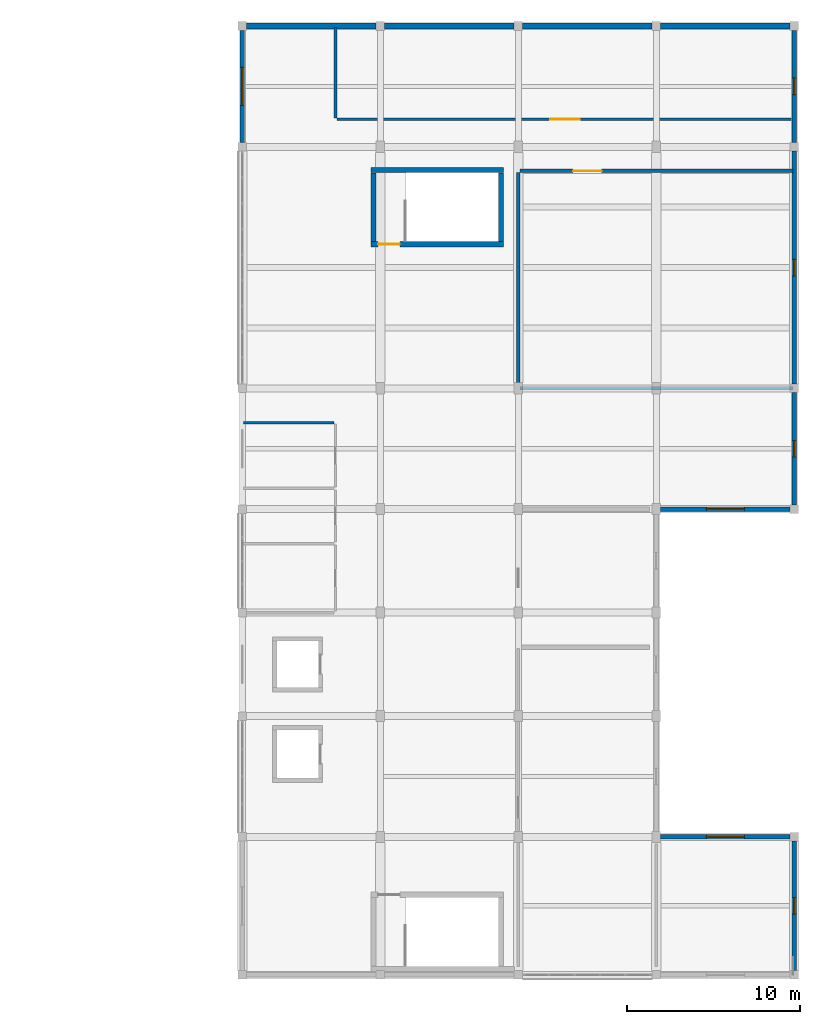
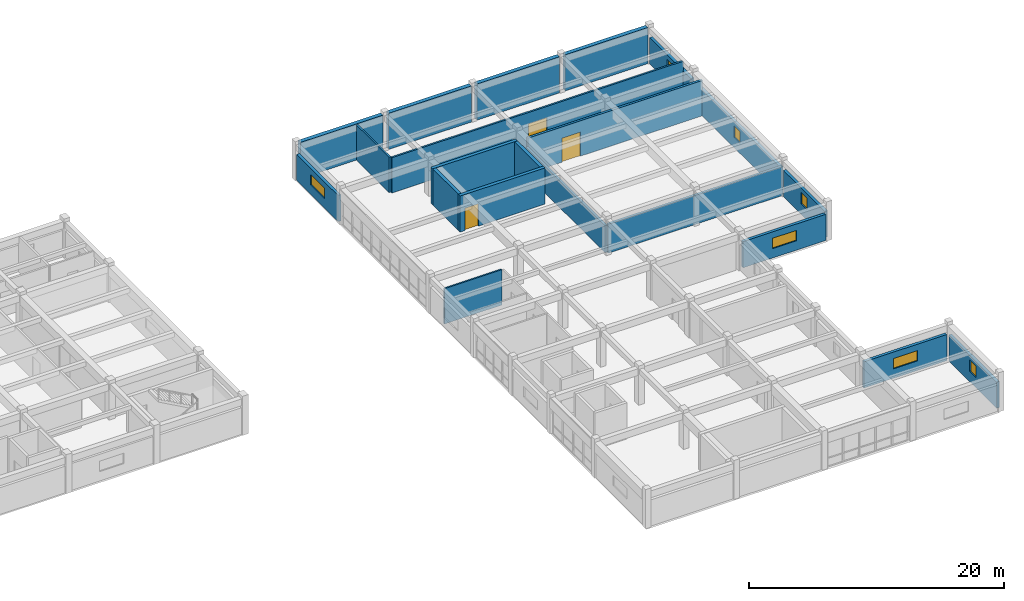
# One storey, part 13 of 17: 21 walls, 7 windows, 3 doors, 10 openings.
"""IFC4 building model written with IfcOpenShell, lengths in metres."""

from ifc_helpers import new_model, si_unit, direction, frame, frame_2d, origin, place, context, subcontext, project, spatial, rectangle, extrude, material, layer, layer_set, type_object, element, fill, save


model = new_model("IFC4")

# Units and contexts
model_context = context("Model", 3, precision=1e-05, world=origin(), true_north=direction((0.0, 1.0)))
body_context = subcontext(model_context, "Body", "Model", "MODEL_VIEW")
ifc_project = project(units=[si_unit("LENGTHUNIT", "METRE"), si_unit("AREAUNIT", "SQUARE_METRE"), si_unit("VOLUMEUNIT", "CUBIC_METRE"), si_unit("PLANEANGLEUNIT", "RADIAN"), si_unit("MASSUNIT", "GRAM", prefix="KILO")], contexts=[model_context])

# Site, building, storey
site_placement = place(None, origin())
site = spatial("IfcSite", under=ifc_project, at=site_placement, CompositionType="ELEMENT")
building_placement = place(site_placement, origin())
building = spatial("IfcBuilding", under=site, at=building_placement, Name="Naurynzar Civic Courthouse", CompositionType="ELEMENT")
storey_placement = place(building_placement, frame((0.0, 0.0, 29.550048828125)))
storey = spatial("IfcBuildingStorey", under=building, at=storey_placement, Name="L08", CompositionType="ELEMENT", Elevation=29.550048828125)

# Wall
ifc_material_1 = material(Name="Acoustic Double-Stud Gypsum Partition")
ifc_layer_1 = layer(ifc_material_1, 0.205078125)
ifc_layer_set_1 = layer_set([ifc_layer_1], Name="WL-ACOUSTIC-205")
wall_type_1 = type_object("IfcWallType", Name="WL-ACOUSTIC-205", PredefinedType="PARTITIONING", material=ifc_layer_set_1)
wall_1_placement = place(storey_placement, frame((146.080078125, 51.0, 0.0), z_axis=(0.0, 0.0, 1.0), x_axis=(1.0, 0.0, 0.0)))
element("IfcWall", 1, at=wall_1_placement, inside=storey, type_object=wall_type_1, Name="V5 interior partition L08.777", PredefinedType="PARTITIONING", context=body_context, shape_type="SweptSolid", body=[
    extrude(rectangle(XDim=15.83984375, YDim=0.205078125, at=frame_2d((7.919921875, 0.0))), origin(), (0.0, 0.0, 1.0), 2.780029296875),
])

# Wall, opening, door
wall_2_placement = place(storey_placement, frame((146.080078125, 63.60009765625, 0.0), z_axis=(0.0, 0.0, 1.0), x_axis=(1.0, 0.0, 0.0)))
wall_2 = element("IfcWall", 2, at=wall_2_placement, inside=storey, type_object=wall_type_1, Name="V5 interior partition L08.778", PredefinedType="PARTITIONING", context=body_context, shape_type="SweptSolid", body=[
    extrude(rectangle(XDim=15.83984375, YDim=0.205078125, at=frame_2d((7.919921875, 0.0))), origin(), (0.0, 0.0, 1.0), 3.389892578125),
])
opening_1_placement = place(wall_2_placement, frame((3.094970703125, 0.0, 0.0)))
opening_1 = element("IfcOpeningElement", 3, at=opening_1_placement, cuts=wall_2, Name="Opening D-366", PredefinedType="OPENING", context=body_context, shape_type="SweptSolid", body=[
    extrude(rectangle(XDim=1.64990234375, YDim=2.300048828125, at=frame_2d((0.824951171875, 1.14990234375))), frame((0.0, 0.112548828125, 0.0), z_axis=(0.0, -1.0, 0.0), x_axis=(1.0, 0.0, 0.0)), (0.0, 0.0, 1.0), 0.22509765625),
])
ifc_material_2 = material(Name="Acoustic Oak Timber Grade A", Category="wood")
door_type_1 = type_object("IfcDoorType", Name="DR-SUITE-1650x2300", OperationType="DOUBLE_DOOR_SINGLE_SWING", PredefinedType="DOOR", material=ifc_material_2)
door_1_placement = place(opening_1_placement, origin())
door_1 = element("IfcDoor", 4, at=door_1_placement, inside=storey, type_object=door_type_1, Name="Interior door D-366 (Criminal Case Review Hearing Room)", OperationType="DOUBLE_DOOR_SINGLE_SWING", OverallHeight=2.300048828125, OverallWidth=1.64990234375, PredefinedType="DOOR", context=body_context, shape_type="SweptSolid", body=[
    extrude(rectangle(XDim=1.64990234375, YDim=2.300048828125, at=frame_2d((0.824951171875, 1.14990234375))), frame((0.0, 0.02490234375, 0.0), z_axis=(0.0, -1.0, 0.0), x_axis=(1.0, 0.0, 0.0)), (0.0, 0.0, 1.0), 0.050048828125),
])
fill(opening_1, door_1)

# Walls
wall_3_placement = place(storey_placement, frame((146.0, 51.080078125, 0.0), z_axis=(0.0, 0.0, 1.0), x_axis=(0.0, 1.0, 0.0)))
element("IfcWall", 5, at=wall_3_placement, inside=storey, type_object=wall_type_1, Name="V5 interior partition L08.806", PredefinedType="PARTITIONING", context=body_context, shape_type="SweptSolid", body=[
    extrude(rectangle(XDim=12.43994140625, YDim=0.205078125, at=frame_2d((6.219970703125, 0.0))), origin(), (0.0, 0.0, 1.0), 2.579833984375),
])
ifc_material_3 = material(Name="Concrete C40/50", Category="concrete")
ifc_layer_2 = layer(ifc_material_3, 0.300048828125)
ifc_layer_set_2 = layer_set([ifc_layer_2], Name="WL-CORE-300")
wall_type_2 = type_object("IfcWallType", Name="WL-CORE-300", PredefinedType="SHEAR", material=ifc_layer_set_2)
wall_4_placement = place(storey_placement, frame((145.14990234375, 63.64990234375, 0.0), z_axis=(0.0, 0.0, 1.0), x_axis=(-1.0, 0.0, 0.0)))
element("IfcWall", 6, at=wall_4_placement, inside=storey, type_object=wall_type_2, Name="Stair ST-V5B enclosure wall north L08", PredefinedType="SHEAR", context=body_context, shape_type="SweptSolid", body=[
    extrude(rectangle(XDim=7.699951171875, YDim=0.300048828125, at=frame_2d((3.85009765625, 0.0))), origin(), (0.0, 0.0, 1.0), 3.469970703125),
])

# Wall, opening, door
wall_5_placement = place(storey_placement, frame((137.449951171875, 59.35009765625, 0.0), z_axis=(0.0, 0.0, 1.0), x_axis=(1.0, 0.0, 0.0)))
wall_5 = element("IfcWall", 7, at=wall_5_placement, inside=storey, type_object=wall_type_2, Name="Stair ST-V5B enclosure wall south L08", PredefinedType="SHEAR", context=body_context, shape_type="SweptSolid", body=[
    extrude(rectangle(XDim=7.699951171875, YDim=0.300048828125, at=frame_2d((3.85009765625, 0.0))), origin(), (0.0, 0.0, 1.0), 3.469970703125),
])
opening_2_placement = place(wall_5_placement, frame((0.425048828125, 0.0, 0.0)))
opening_2 = element("IfcOpeningElement", 8, at=opening_2_placement, cuts=wall_5, Name="Opening SD-076", PredefinedType="OPENING", context=body_context, shape_type="SweptSolid", body=[
    extrude(rectangle(XDim=1.25, YDim=2.14990234375, at=frame_2d((0.625, 1.074951171875))), frame((0.0, 0.159912109375, 0.0), z_axis=(0.0, -1.0, 0.0), x_axis=(1.0, 0.0, 0.0)), (0.0, 0.0, 1.0), 0.320068359375),
])
ifc_material_4 = material(Name="Powder-Coated Galvanised Steel", Category="steel")
door_type_2 = type_object("IfcDoorType", Name="DR-STAIR-1250x2150", OperationType="NOTDEFINED", PredefinedType="DOOR", material=ifc_material_4)
door_2_placement = place(opening_2_placement, origin())
door_2 = element("IfcDoor", 9, at=door_2_placement, inside=storey, type_object=door_type_2, Name="Stair ST-V5B fire door L08", OperationType="SINGLE_SWING_RIGHT", OverallHeight=2.14990234375, OverallWidth=1.25, PredefinedType="DOOR", context=body_context, shape_type="SweptSolid", body=[
    extrude(rectangle(XDim=1.25, YDim=2.14990234375, at=frame_2d((0.625, 1.074951171875))), frame((0.0, 0.02490234375, 0.0), z_axis=(0.0, -1.0, 0.0), x_axis=(1.0, 0.0, 0.0)), (0.0, 0.0, 1.0), 0.050048828125),
])
fill(opening_2, door_2)

# Walls
for number, where, z_axis, x_axis, name in (
    (10, (137.60009765625, 63.4951171875, 0.0), (0.0, 0.0, 1.0), (0.0, -1.0, 0.0), "Stair ST-V5B enclosure wall west L08"),
    (11, (145.0, 59.5048828125, 0.0), (0.0, 0.0, 1.0), (0.0, 1.0, 0.0), "Stair ST-V5B enclosure wall east L08"),
):
    element("IfcWall", number, at=place(storey_placement, frame(where, z_axis=z_axis, x_axis=x_axis)), inside=storey, type_object=wall_type_2, Name=name, PredefinedType="SHEAR", context=body_context, shape_type="SweptSolid", body=[
        extrude(rectangle(XDim=3.990234375, YDim=0.300048828125, at=frame_2d((1.9951171875, 0.0))), origin(), (0.0, 0.0, 1.0), 3.469970703125),
    ])

# Wall, opening, window
ifc_material_5 = material(Name="Precast concrete C40/50", Category="concrete")
ifc_layer_3 = layer(ifc_material_5, 0.260009765625)
ifc_layer_set_3 = layer_set([ifc_layer_3], Name="WL-EXT-260")
wall_type_3 = type_object("IfcWallType", Name="WL-EXT-260", PredefinedType="SOLIDWALL", material=ifc_layer_set_3)
wall_6_placement = place(storey_placement, frame((130.0, 65.25, 0.0), z_axis=(0.0, 0.0, 1.0), x_axis=(0.0, 1.0, 0.0)))
wall_6 = element("IfcWall", 12, at=wall_6_placement, inside=storey, type_object=wall_type_3, Name="V5 exterior wall west L08.7.1", PredefinedType="SOLIDWALL", context=body_context, shape_type="SweptSolid", body=[
    extrude(rectangle(XDim=6.5, YDim=0.260009765625, at=frame_2d((3.25, 0.0))), origin(), (0.0, 0.0, 1.0), 2.510009765625),
])
opening_3_placement = place(wall_6_placement, frame((2.14990234375, 0.0, 0.89990234375)))
opening_3 = element("IfcOpeningElement", 13, at=opening_3_placement, cuts=wall_6, Name="Opening WN-18", PredefinedType="OPENING", context=body_context, shape_type="SweptSolid", body=[
    extrude(rectangle(XDim=2.199951171875, YDim=1.0, at=frame_2d((1.10009765625, 0.5))), frame((0.0, 0.139892578125, 0.0), z_axis=(0.0, -1.0, 0.0), x_axis=(1.0, 0.0, 0.0)), (0.0, 0.0, 1.0), 0.280029296875),
])
ifc_material_6 = material(Name="Tempered Laminated Low-E Glass", Category="glass")
window_type_1 = type_object("IfcWindowType", Name="WIN-CLER-2200x1000", PartitioningType="DOUBLE_PANEL_VERTICAL", PredefinedType="WINDOW", material=ifc_material_6)
window_1_placement = place(opening_3_placement, origin())
window_1 = element("IfcWindow", 14, at=window_1_placement, inside=storey, type_object=window_type_1, Name="V5 window 368 L08", OverallHeight=1.0, OverallWidth=2.199951171875, PartitioningType="SINGLE_PANEL", PredefinedType="WINDOW", context=body_context, shape_type="SweptSolid", body=[
    extrude(rectangle(XDim=2.199951171875, YDim=1.0, at=frame_2d((1.10009765625, 0.5))), frame((0.0, 0.030029296875, 0.0), z_axis=(0.0, -1.0, 0.0), x_axis=(1.0, 0.0, 0.0)), (0.0, 0.0, 1.0), 0.06005859375),
])
fill(opening_3, window_1)

wall_7_placement = place(storey_placement, frame((162.0, 71.75, 0.0), z_axis=(0.0, 0.0, 1.0), x_axis=(0.0, -1.0, 0.0)))
wall_7 = element("IfcWall", 15, at=wall_7_placement, inside=storey, type_object=wall_type_3, Name="V5 exterior wall east_north L08.1.1", PredefinedType="SOLIDWALL", context=body_context, shape_type="SweptSolid", body=[
    extrude(rectangle(XDim=6.5, YDim=0.260009765625, at=frame_2d((3.25, 0.0))), origin(), (0.0, 0.0, 1.0), 2.510009765625),
])
opening_4_placement = place(wall_7_placement, frame((2.77490234375, 0.0, 1.0)))
opening_4 = element("IfcOpeningElement", 16, at=opening_4_placement, cuts=wall_7, Name="Opening WN-16", PredefinedType="OPENING", context=body_context, shape_type="SweptSolid", body=[
    extrude(rectangle(XDim=0.949951171875, YDim=1.10009765625, at=frame_2d((0.47509765625, 0.550048828125))), frame((0.0, 0.139892578125, 0.0), z_axis=(0.0, -1.0, 0.0), x_axis=(1.0, 0.0, 0.0)), (0.0, 0.0, 1.0), 0.280029296875),
])
ifc_material_7 = material(Name="Tempered Laminated Low-E Glass", Category="glass")
window_type_2 = type_object("IfcWindowType", Name="WIN-SEC-950x1100", PartitioningType="SINGLE_PANEL", PredefinedType="WINDOW", material=ifc_material_7)
window_2_placement = place(opening_4_placement, origin())
window_2 = element("IfcWindow", 17, at=window_2_placement, inside=storey, type_object=window_type_2, Name="V5 window 369 L08", OverallHeight=1.10009765625, OverallWidth=0.949951171875, PartitioningType="SINGLE_PANEL", PredefinedType="WINDOW", context=body_context, shape_type="SweptSolid", body=[
    extrude(rectangle(XDim=0.949951171875, YDim=1.10009765625, at=frame_2d((0.47509765625, 0.550048828125))), frame((0.0, 0.030029296875, 0.0), z_axis=(0.0, -1.0, 0.0), x_axis=(1.0, 0.0, 0.0)), (0.0, 0.0, 1.0), 0.06005859375),
])
fill(opening_4, window_2)

wall_8_placement = place(storey_placement, frame((162.0, 64.75, 0.0), z_axis=(0.0, 0.0, 1.0), x_axis=(0.0, -1.0, 0.0)))
wall_8 = element("IfcWall", 18, at=wall_8_placement, inside=storey, type_object=wall_type_3, Name="V5 exterior wall east_north L08.2.1", PredefinedType="SOLIDWALL", context=body_context, shape_type="SweptSolid", body=[
    extrude(rectangle(XDim=13.5, YDim=0.260009765625, at=frame_2d((6.75, 0.0))), origin(), (0.0, 0.0, 1.0), 2.510009765625),
])
opening_5_placement = place(wall_8_placement, frame((6.27490234375, 0.0, 1.0)))
opening_5 = element("IfcOpeningElement", 19, at=opening_5_placement, cuts=wall_8, Name="Opening WN-16", PredefinedType="OPENING", context=body_context, shape_type="SweptSolid", body=[
    extrude(rectangle(XDim=0.949951171875, YDim=1.10009765625, at=frame_2d((0.47509765625, 0.550048828125))), frame((0.0, 0.139892578125, 0.0), z_axis=(0.0, -1.0, 0.0), x_axis=(1.0, 0.0, 0.0)), (0.0, 0.0, 1.0), 0.280029296875),
])
window_3_placement = place(opening_5_placement, origin())
window_3 = element("IfcWindow", 20, at=window_3_placement, inside=storey, type_object=window_type_2, Name="V5 window 370 L08", OverallHeight=1.10009765625, OverallWidth=0.949951171875, PartitioningType="SINGLE_PANEL", PredefinedType="WINDOW", context=body_context, shape_type="SweptSolid", body=[
    extrude(rectangle(XDim=0.949951171875, YDim=1.10009765625, at=frame_2d((0.47509765625, 0.550048828125))), frame((0.0, 0.030029296875, 0.0), z_axis=(0.0, -1.0, 0.0), x_axis=(1.0, 0.0, 0.0)), (0.0, 0.0, 1.0), 0.06005859375),
])
fill(opening_5, window_3)

wall_9_placement = place(storey_placement, frame((162.0, 50.75, 0.0), z_axis=(0.0, 0.0, 1.0), x_axis=(0.0, -1.0, 0.0)))
wall_9 = element("IfcWall", 21, at=wall_9_placement, inside=storey, type_object=wall_type_3, Name="V5 exterior wall east_north L08.3.1", PredefinedType="SOLIDWALL", context=body_context, shape_type="SweptSolid", body=[
    extrude(rectangle(XDim=6.5, YDim=0.260009765625, at=frame_2d((3.25, 0.0))), origin(), (0.0, 0.0, 1.0), 2.510009765625),
])
opening_6_placement = place(wall_9_placement, frame((2.77490234375, 0.0, 1.0)))
opening_6 = element("IfcOpeningElement", 22, at=opening_6_placement, cuts=wall_9, Name="Opening WN-16", PredefinedType="OPENING", context=body_context, shape_type="SweptSolid", body=[
    extrude(rectangle(XDim=0.949951171875, YDim=1.10009765625, at=frame_2d((0.47509765625, 0.550048828125))), frame((0.0, 0.139892578125, 0.0), z_axis=(0.0, -1.0, 0.0), x_axis=(1.0, 0.0, 0.0)), (0.0, 0.0, 1.0), 0.280029296875),
])
window_4_placement = place(opening_6_placement, origin())
window_4 = element("IfcWindow", 23, at=window_4_placement, inside=storey, type_object=window_type_2, Name="V5 window 371 L08", OverallHeight=1.10009765625, OverallWidth=0.949951171875, PartitioningType="SINGLE_PANEL", PredefinedType="WINDOW", context=body_context, shape_type="SweptSolid", body=[
    extrude(rectangle(XDim=0.949951171875, YDim=1.10009765625, at=frame_2d((0.47509765625, 0.550048828125))), frame((0.0, 0.030029296875, 0.0), z_axis=(0.0, -1.0, 0.0), x_axis=(1.0, 0.0, 0.0)), (0.0, 0.0, 1.0), 0.06005859375),
])
fill(opening_6, window_4)

wall_10_placement = place(storey_placement, frame((161.75, 44.0, 0.0), z_axis=(0.0, 0.0, 1.0), x_axis=(-1.0, 0.0, 0.0)))
wall_10 = element("IfcWall", 24, at=wall_10_placement, inside=storey, type_object=wall_type_3, Name="V5 exterior wall notch_n L08.1.1", PredefinedType="SOLIDWALL", context=body_context, shape_type="SweptSolid", body=[
    extrude(rectangle(XDim=7.5, YDim=0.260009765625, at=frame_2d((3.75, 0.0))), origin(), (0.0, 0.0, 1.0), 2.510009765625),
])
opening_7_placement = place(wall_10_placement, frame((2.64990234375, 0.0, 0.89990234375)))
opening_7 = element("IfcOpeningElement", 25, at=opening_7_placement, cuts=wall_10, Name="Opening WN-18", PredefinedType="OPENING", context=body_context, shape_type="SweptSolid", body=[
    extrude(rectangle(XDim=2.199951171875, YDim=1.0, at=frame_2d((1.10009765625, 0.5))), frame((0.0, 0.139892578125, 0.0), z_axis=(0.0, -1.0, 0.0), x_axis=(1.0, 0.0, 0.0)), (0.0, 0.0, 1.0), 0.280029296875),
])
window_5_placement = place(opening_7_placement, origin())
window_5 = element("IfcWindow", 26, at=window_5_placement, inside=storey, type_object=window_type_1, Name="V5 window 372 L08", OverallHeight=1.0, OverallWidth=2.199951171875, PartitioningType="SINGLE_PANEL", PredefinedType="WINDOW", context=body_context, shape_type="SweptSolid", body=[
    extrude(rectangle(XDim=2.199951171875, YDim=1.0, at=frame_2d((1.10009765625, 0.5))), frame((0.0, 0.030029296875, 0.0), z_axis=(0.0, -1.0, 0.0), x_axis=(1.0, 0.0, 0.0)), (0.0, 0.0, 1.0), 0.06005859375),
])
fill(opening_7, window_5)

wall_11_placement = place(storey_placement, frame((154.25, 25.0, 0.0), z_axis=(0.0, 0.0, 1.0), x_axis=(1.0, 0.0, 0.0)))
wall_11 = element("IfcWall", 27, at=wall_11_placement, inside=storey, type_object=wall_type_3, Name="V5 exterior wall notch_s L08.1.1", PredefinedType="SOLIDWALL", context=body_context, shape_type="SweptSolid", body=[
    extrude(rectangle(XDim=7.5, YDim=0.260009765625, at=frame_2d((3.75, 0.0))), origin(), (0.0, 0.0, 1.0), 2.510009765625),
])
opening_8_placement = place(wall_11_placement, frame((2.64990234375, 0.0, 0.89990234375)))
opening_8 = element("IfcOpeningElement", 28, at=opening_8_placement, cuts=wall_11, Name="Opening WN-18", PredefinedType="OPENING", context=body_context, shape_type="SweptSolid", body=[
    extrude(rectangle(XDim=2.199951171875, YDim=1.0, at=frame_2d((1.10009765625, 0.5))), frame((0.0, 0.139892578125, 0.0), z_axis=(0.0, -1.0, 0.0), x_axis=(1.0, 0.0, 0.0)), (0.0, 0.0, 1.0), 0.280029296875),
])
window_6_placement = place(opening_8_placement, origin())
window_6 = element("IfcWindow", 29, at=window_6_placement, inside=storey, type_object=window_type_1, Name="V5 window 376 L08", OverallHeight=1.0, OverallWidth=2.199951171875, PartitioningType="SINGLE_PANEL", PredefinedType="WINDOW", context=body_context, shape_type="SweptSolid", body=[
    extrude(rectangle(XDim=2.199951171875, YDim=1.0, at=frame_2d((1.10009765625, 0.5))), frame((0.0, 0.030029296875, 0.0), z_axis=(0.0, -1.0, 0.0), x_axis=(1.0, 0.0, 0.0)), (0.0, 0.0, 1.0), 0.06005859375),
])
fill(opening_8, window_6)

wall_12_placement = place(storey_placement, frame((162.0, 24.75, 0.0), z_axis=(0.0, 0.0, 1.0), x_axis=(0.0, -1.0, 0.0)))
wall_12 = element("IfcWall", 30, at=wall_12_placement, inside=storey, type_object=wall_type_3, Name="V5 exterior wall east_south L08.1.1", PredefinedType="SOLIDWALL", context=body_context, shape_type="SweptSolid", body=[
    extrude(rectangle(XDim=7.5, YDim=0.260009765625, at=frame_2d((3.75, 0.0))), origin(), (0.0, 0.0, 1.0), 2.510009765625),
])
opening_9_placement = place(wall_12_placement, frame((3.27490234375, 0.0, 1.0)))
opening_9 = element("IfcOpeningElement", 31, at=opening_9_placement, cuts=wall_12, Name="Opening WN-16", PredefinedType="OPENING", context=body_context, shape_type="SweptSolid", body=[
    extrude(rectangle(XDim=0.949951171875, YDim=1.10009765625, at=frame_2d((0.47509765625, 0.550048828125))), frame((0.0, 0.139892578125, 0.0), z_axis=(0.0, -1.0, 0.0), x_axis=(1.0, 0.0, 0.0)), (0.0, 0.0, 1.0), 0.280029296875),
])
window_7_placement = place(opening_9_placement, origin())
window_7 = element("IfcWindow", 32, at=window_7_placement, inside=storey, type_object=window_type_2, Name="V5 window 377 L08", OverallHeight=1.10009765625, OverallWidth=0.949951171875, PartitioningType="SINGLE_PANEL", PredefinedType="WINDOW", context=body_context, shape_type="SweptSolid", body=[
    extrude(rectangle(XDim=0.949951171875, YDim=1.10009765625, at=frame_2d((0.47509765625, 0.550048828125))), frame((0.0, 0.030029296875, 0.0), z_axis=(0.0, -1.0, 0.0), x_axis=(1.0, 0.0, 0.0)), (0.0, 0.0, 1.0), 0.06005859375),
])
fill(opening_9, window_7)

# Wall, opening, door
ifc_material_8 = material(Name="Insulated Metal-Stud Gypsum Partition")
ifc_layer_4 = layer(ifc_material_8, 0.159912109375)
ifc_layer_set_4 = layer_set([ifc_layer_4], Name="WL-PART-CHAMB-160")
wall_type_4 = type_object("IfcWallType", Name="WL-PART-CHAMB-160", PredefinedType="PARTITIONING", material=ifc_layer_set_4)
wall_13_placement = place(storey_placement, frame((135.47998046875, 66.60009765625, 0.0), z_axis=(0.0, 0.0, 1.0), x_axis=(1.0, 0.0, 0.0)))
wall_13 = element("IfcWall", 33, at=wall_13_placement, inside=storey, type_object=wall_type_4, Name="V5 interior partition L08.783", PredefinedType="PARTITIONING", context=body_context, shape_type="SweptSolid", body=[
    extrude(rectangle(XDim=26.43994140625, YDim=0.159912109375, at=frame_2d((13.219970703125, 0.0))), origin(), (0.0, 0.0, 1.0), 3.389892578125),
])
opening_10_placement = place(wall_13_placement, frame((12.3701171875, 0.0, 0.0)))
opening_10 = element("IfcOpeningElement", 34, at=opening_10_placement, cuts=wall_13, Name="Opening D-367", PredefinedType="OPENING", context=body_context, shape_type="SweptSolid", body=[
    extrude(rectangle(XDim=1.699951171875, YDim=2.300048828125, at=frame_2d((0.85009765625, 1.14990234375))), frame((0.0, 0.08984375, 0.0), z_axis=(0.0, -1.0, 0.0), x_axis=(1.0, 0.0, 0.0)), (0.0, 0.0, 1.0), 0.179931640625),
])
ifc_material_9 = material(Name="Acoustic Oak Timber Grade A", Category="wood")
door_type_3 = type_object("IfcDoorType", Name="DR-SUITE-1700x2300", OperationType="DOUBLE_DOOR_SINGLE_SWING", PredefinedType="DOOR", material=ifc_material_9)
door_3_placement = place(opening_10_placement, origin())
door_3 = element("IfcDoor", 35, at=door_3_placement, inside=storey, type_object=door_type_3, Name="Interior door D-367 (Senior Criminal Judges' Chambers)", OperationType="DOUBLE_DOOR_SINGLE_SWING", OverallHeight=2.300048828125, OverallWidth=1.699951171875, PredefinedType="DOOR", context=body_context, shape_type="SweptSolid", body=[
    extrude(rectangle(XDim=1.699951171875, YDim=2.300048828125, at=frame_2d((0.85009765625, 1.14990234375))), frame((0.0, 0.02490234375, 0.0), z_axis=(0.0, -1.0, 0.0), x_axis=(1.0, 0.0, 0.0)), (0.0, 0.0, 1.0), 0.050048828125),
])
fill(opening_10, door_3)

# Walls
wall_14_placement = place(storey_placement, frame((135.39990234375, 66.679931640625, 0.0), z_axis=(0.0, 0.0, 1.0), x_axis=(0.0, 1.0, 0.0)))
element("IfcWall", 36, at=wall_14_placement, inside=storey, type_object=wall_type_4, Name="V5 interior partition L08.803", PredefinedType="PARTITIONING", context=body_context, shape_type="SweptSolid", body=[
    extrude(rectangle(XDim=5.239990234375, YDim=0.159912109375, at=frame_2d((2.6201171875, 0.0))), origin(), (0.0, 0.0, 1.0), 3.389892578125),
])
ifc_material_10 = material(Name="Moisture-Resistant Plumbing Partition")
ifc_layer_5 = layer(ifc_material_10, 0.139892578125)
ifc_layer_set_5 = layer_set([ifc_layer_5], Name="WL-PART-WC-140")
wall_type_5 = type_object("IfcWallType", Name="WL-PART-WC-140", PredefinedType="PLUMBINGWALL", material=ifc_layer_set_5)
wall_15_placement = place(storey_placement, frame((130.080078125, 49.0, 0.0), z_axis=(0.0, 0.0, 1.0), x_axis=(1.0, 0.0, 0.0)))
element("IfcWall", 37, at=wall_15_placement, inside=storey, type_object=wall_type_5, Name="V5 interior partition L08.771", PredefinedType="PLUMBINGWALL", context=body_context, shape_type="SweptSolid", body=[
    extrude(rectangle(XDim=5.239990234375, YDim=0.139892578125, at=frame_2d((2.6201171875, 0.0))), origin(), (0.0, 0.0, 1.0), 3.389892578125),
])
ifc_material_11 = material(Name="Concrete C40/50", Category="concrete")
ifc_layer_6 = layer(ifc_material_11, 0.360107421875)
ifc_layer_set_6 = layer_set([ifc_layer_6], Name="WL-PARTY-360")
wall_type_6 = type_object("IfcWallType", Name="WL-PARTY-360", PredefinedType="SOLIDWALL", material=ifc_layer_set_6)
for number, where, z_axis, x_axis, name in (
    (38, (130.25, 72.0, 0.0), (0.0, 0.0, 1.0), (1.0, 0.0, 0.0), "V5 solid seismic party wall L08 1"),
    (39, (138.25, 72.0, 0.0), (0.0, 0.0, 1.0), (1.0, 0.0, 0.0), "V5 solid seismic party wall L08 2"),
    (40, (146.25, 72.0, 0.0), (0.0, 0.0, 1.0), (1.0, 0.0, 0.0), "V5 solid seismic party wall L08 3"),
    (41, (154.25, 72.0, 0.0), (0.0, 0.0, 1.0), (1.0, 0.0, 0.0), "V5 solid seismic party wall L08 4"),
):
    element("IfcWall", number, at=place(storey_placement, frame(where, z_axis=z_axis, x_axis=x_axis)), inside=storey, type_object=wall_type_6, Name=name, PredefinedType="SOLIDWALL", context=body_context, shape_type="SweptSolid", body=[
        extrude(rectangle(XDim=7.5, YDim=0.360107421875, at=frame_2d((3.75, 0.0))), origin(), (0.0, 0.0, 1.0), 3.469970703125),
    ])

save(model, "model.ifc")
